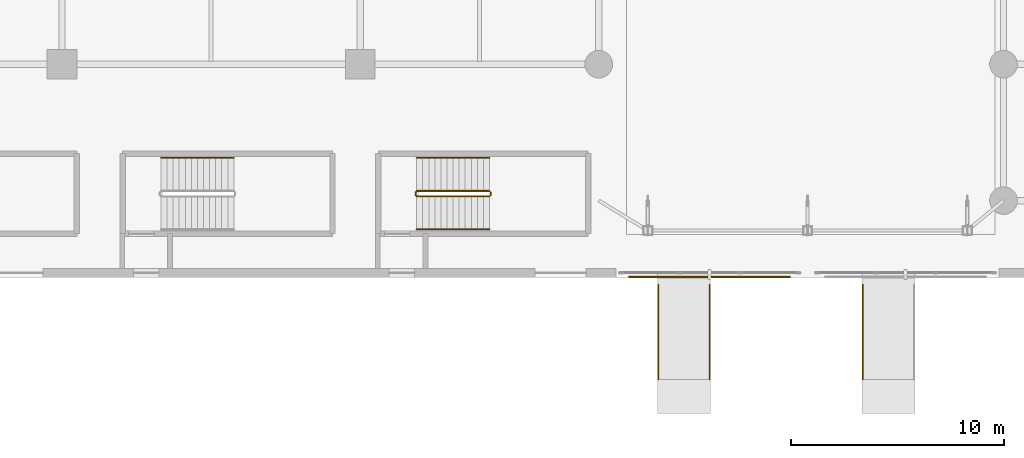
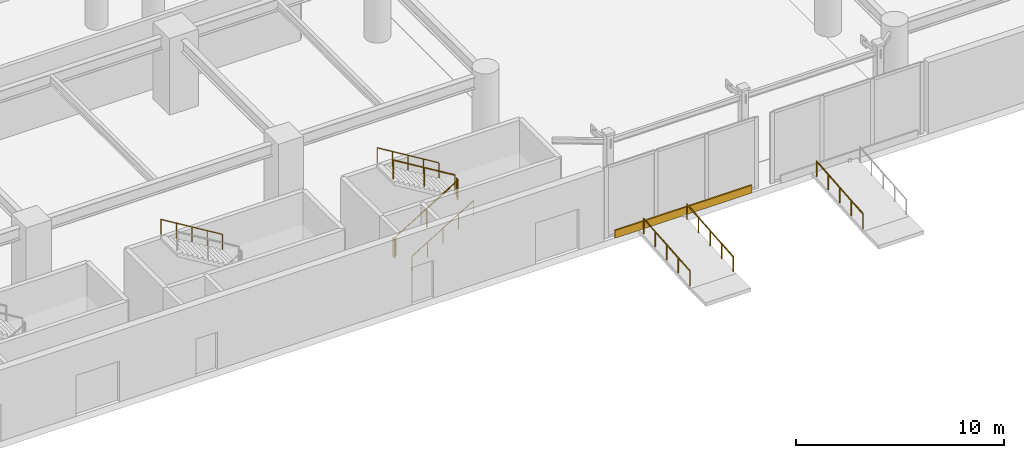
# One storey, part 35 of 42: 10 railings, 1 shading device.
"""IFC4 building model written with IfcOpenShell, lengths in metres."""

from ifc_helpers import new_model, si_unit, direction, frame, origin, origin_2d, place, context, subcontext, project, spatial, rectangle, circle, extrude, material, layer, layer_set, type_object, element, save


model = new_model("IFC4")

# Units and contexts
model_context = context("Model", 3, precision=1e-05, world=origin(), true_north=direction((0.0, 1.0)))
body_context = subcontext(model_context, "Body", "Model", "MODEL_VIEW")
ifc_project = project(units=[si_unit("LENGTHUNIT", "METRE"), si_unit("AREAUNIT", "SQUARE_METRE"), si_unit("VOLUMEUNIT", "CUBIC_METRE"), si_unit("PLANEANGLEUNIT", "RADIAN"), si_unit("MASSUNIT", "GRAM", prefix="KILO")], contexts=[model_context])

# Site, building, storey
site_placement = place(None, origin())
site = spatial("IfcSite", under=ifc_project, at=site_placement, CompositionType="ELEMENT")
building_placement = place(site_placement, origin())
building = spatial("IfcBuilding", under=site, at=building_placement, Name="Narakoshi Arena Tower", CompositionType="ELEMENT")
storey_placement = place(building_placement, origin())
storey = spatial("IfcBuildingStorey", under=building, at=storey_placement, Name="L00", CompositionType="ELEMENT", Elevation=0.0)

# Railings
ifc_material_1 = material(Name="Clear low-iron laminated structural glass", Category="glass")
railing_type_1 = type_object("IfcRailingType", Name="RL-BAL-1100", PredefinedType="BALUSTRADE", material=ifc_material_1)
railing_1_placement = place(storey_placement, frame((42.64990234375, 3.800048828125, 0.173095703125)))
element("IfcRailing", 1, at=railing_1_placement, inside=storey, type_object=railing_type_1, Name="L00 AST4 stair guard 1", PredefinedType="BALUSTRADE", context=body_context, shape_type="SweptSolid", body=[
    extrude(circle(Radius=0.02392578125, at=origin_2d()), frame((0.0, 0.0, 1.09619140625), z_axis=(0.854745945586, 0.0, 0.519046595696), x_axis=(0.0, 1.0, 0.0)), (0.0, 0.0, 1.0), 4.00146484375),
    extrude(circle(Radius=0.02099609375, at=origin_2d()), origin(), (0.0, 0.0, 1.0), 1.072021484375),
    extrude(circle(Radius=0.02099609375, at=origin_2d()), frame((1.7099609375, 0.0, 1.03857421875)), (0.0, 0.0, 1.0), 1.072021484375),
    extrude(circle(Radius=0.02099609375, at=origin_2d()), frame((3.420166015625, 0.0, 2.076904296875)), (0.0, 0.0, 1.0), 1.072021484375),
])
railing_2_placement = place(storey_placement, frame((46.1201171875, 3.85009765625, 2.25)))
element("IfcRailing", 2, at=railing_2_placement, inside=storey, type_object=railing_type_1, Name="L00 AST4 stair guard 2", PredefinedType="BALUSTRADE", context=body_context, shape_type="SweptSolid", body=[
    extrude(circle(Radius=0.02392578125, at=origin_2d()), frame((0.0, 0.0, 1.09619140625), z_axis=(0.0, 1.0, 0.0), x_axis=(-1.0, 0.0, 0.0)), (0.0, 0.0, 1.0), 0.14990234375),
    extrude(circle(Radius=0.02099609375, at=origin_2d()), origin(), (0.0, 0.0, 1.0), 1.072021484375),
    extrude(circle(Radius=0.02099609375, at=origin_2d()), frame((0.0, 0.14990234375, 0.0)), (0.0, 0.0, 1.0), 1.072021484375),
])
railing_3_placement = place(storey_placement, frame((46.070068359375, 4.050048828125, 2.423095703125)))
element("IfcRailing", 3, at=railing_3_placement, inside=storey, type_object=railing_type_1, Name="L00 AST4 stair guard 3", PredefinedType="BALUSTRADE", context=body_context, shape_type="SweptSolid", body=[
    extrude(circle(Radius=0.02392578125, at=origin_2d()), frame((0.0, 0.0, 1.09619140625), z_axis=(-0.854745945586, 0.0, 0.519046595696), x_axis=(0.0, -1.0, 0.0)), (0.0, 0.0, 1.0), 4.00146484375),
    extrude(circle(Radius=0.02099609375, at=origin_2d()), origin(), (0.0, 0.0, 1.0), 1.072021484375),
    extrude(circle(Radius=0.02099609375, at=origin_2d()), frame((-1.7099609375, 0.0, 1.03857421875)), (0.0, 0.0, 1.0), 1.072021484375),
    extrude(circle(Radius=0.02099609375, at=origin_2d()), frame((-3.420166015625, 0.0, 2.076904296875)), (0.0, 0.0, 1.0), 1.072021484375),
])
railing_4_placement = place(storey_placement, frame((42.60009765625, 3.85009765625, 0.0)))
element("IfcRailing", 4, at=railing_4_placement, inside=storey, type_object=railing_type_1, Name="L00 AST4 stair guard 4", PredefinedType="BALUSTRADE", context=body_context, shape_type="SweptSolid", body=[
    extrude(circle(Radius=0.02392578125, at=origin_2d()), frame((0.0, 0.0, 1.09619140625), z_axis=(0.0, 1.0, 0.0), x_axis=(-1.0, 0.0, 0.0)), (0.0, 0.0, 1.0), 0.14990234375),
    extrude(circle(Radius=0.02099609375, at=origin_2d()), origin(), (0.0, 0.0, 1.0), 1.072021484375),
    extrude(circle(Radius=0.02099609375, at=origin_2d()), frame((0.0, 0.14990234375, 0.0)), (0.0, 0.0, 1.0), 1.072021484375),
])
ifc_material_2 = material(Name="Brushed bronze stainless steel", Category="steel")
railing_type_2 = type_object("IfcRailingType", Name="RL-HND-900", PredefinedType="HANDRAIL", material=ifc_material_2)
railing_5_placement = place(storey_placement, frame((34.070068359375, 5.60009765625, 2.423095703125)))
element("IfcRailing", 5, at=railing_5_placement, inside=storey, type_object=railing_type_2, Name="L00 AST3 stair handrail 2", PredefinedType="HANDRAIL", context=body_context, shape_type="SweptSolid", body=[
    extrude(circle(Radius=0.02392578125, at=origin_2d()), frame((0.0, 0.0, 0.8759765625), z_axis=(-0.854745945586, 0.0, 0.519046595696), x_axis=(0.0, -1.0, 0.0)), (0.0, 0.0, 1.0), 4.00146484375),
    extrude(circle(Radius=0.02099609375, at=origin_2d()), origin(), (0.0, 0.0, 1.0), 0.851806640625),
    extrude(circle(Radius=0.02099609375, at=origin_2d()), frame((-0.85498046875, 0.0, 0.519287109375)), (0.0, 0.0, 1.0), 0.851806640625),
    extrude(circle(Radius=0.02099609375, at=origin_2d()), frame((-1.7099609375, 0.0, 1.03857421875)), (0.0, 0.0, 1.0), 0.851806640625),
    extrude(circle(Radius=0.02099609375, at=origin_2d()), frame((-2.565185546875, 0.0, 1.5576171875)), (0.0, 0.0, 1.0), 0.851806640625),
    extrude(circle(Radius=0.02099609375, at=origin_2d()), frame((-3.420166015625, 0.0, 2.076904296875)), (0.0, 0.0, 1.0), 0.851806640625),
])
railing_6_placement = place(storey_placement, frame((42.64990234375, 2.25, 0.173095703125)))
element("IfcRailing", 6, at=railing_6_placement, inside=storey, type_object=railing_type_2, Name="L00 AST4 stair handrail 1", PredefinedType="HANDRAIL", context=body_context, shape_type="SweptSolid", body=[
    extrude(circle(Radius=0.02392578125, at=origin_2d()), frame((0.0, 0.0, 0.8759765625), z_axis=(0.854745945586, 0.0, 0.519046595696), x_axis=(0.0, 1.0, 0.0)), (0.0, 0.0, 1.0), 4.00146484375),
    extrude(circle(Radius=0.02099609375, at=origin_2d()), origin(), (0.0, 0.0, 1.0), 0.851806640625),
    extrude(circle(Radius=0.02099609375, at=origin_2d()), frame((0.85498046875, 0.0, 0.519287109375)), (0.0, 0.0, 1.0), 0.851806640625),
    extrude(circle(Radius=0.02099609375, at=origin_2d()), frame((1.7099609375, 0.0, 1.03857421875)), (0.0, 0.0, 1.0), 0.851806640625),
    extrude(circle(Radius=0.02099609375, at=origin_2d()), frame((2.565185546875, 0.0, 1.5576171875)), (0.0, 0.0, 1.0), 0.851806640625),
    extrude(circle(Radius=0.02099609375, at=origin_2d()), frame((3.420166015625, 0.0, 2.076904296875)), (0.0, 0.0, 1.0), 0.851806640625),
])
railing_7_placement = place(storey_placement, frame((46.070068359375, 5.60009765625, 2.423095703125)))
element("IfcRailing", 7, at=railing_7_placement, inside=storey, type_object=railing_type_2, Name="L00 AST4 stair handrail 2", PredefinedType="HANDRAIL", context=body_context, shape_type="SweptSolid", body=[
    extrude(circle(Radius=0.02392578125, at=origin_2d()), frame((0.0, 0.0, 0.8759765625), z_axis=(-0.854745945586, 0.0, 0.519046595696), x_axis=(0.0, -1.0, 0.0)), (0.0, 0.0, 1.0), 4.00146484375),
    extrude(circle(Radius=0.02099609375, at=origin_2d()), origin(), (0.0, 0.0, 1.0), 0.851806640625),
    extrude(circle(Radius=0.02099609375, at=origin_2d()), frame((-0.85498046875, 0.0, 0.519287109375)), (0.0, 0.0, 1.0), 0.851806640625),
    extrude(circle(Radius=0.02099609375, at=origin_2d()), frame((-1.7099609375, 0.0, 1.03857421875)), (0.0, 0.0, 1.0), 0.851806640625),
    extrude(circle(Radius=0.02099609375, at=origin_2d()), frame((-2.565185546875, 0.0, 1.5576171875)), (0.0, 0.0, 1.0), 0.851806640625),
    extrude(circle(Radius=0.02099609375, at=origin_2d()), frame((-3.420166015625, 0.0, 2.076904296875)), (0.0, 0.0, 1.0), 0.851806640625),
])
for number, where, name in (
    (8, (54.0, -4.800048828125, -0.39990234375), "L00 Accessible Ramp Handrail RMP-S1-L"),
    (9, (56.39990234375, -4.800048828125, -0.39990234375), "L00 Accessible Ramp Handrail RMP-S1-R"),
    (10, (63.60009765625, -4.800048828125, -0.39990234375), "L00 Accessible Ramp Handrail RMP-S2-L"),
):
    element("IfcRailing", number, at=place(storey_placement, frame(where)), inside=storey, type_object=railing_type_2, Name=name, PredefinedType="HANDRAIL", context=body_context, shape_type="SweptSolid", body=[
        extrude(circle(Radius=0.02392578125, at=origin_2d()), frame((0.0, 0.0, 0.8759765625), z_axis=(0.0, 0.996375960288, 0.085058484348), x_axis=(-1.0, 0.0, 0.0)), (0.0, 0.0, 1.0), 4.466064453125),
        extrude(circle(Radius=0.02099609375, at=origin_2d()), origin(), (0.0, 0.0, 1.0), 0.851806640625),
        extrude(circle(Radius=0.02099609375, at=origin_2d()), frame((0.0, 1.112548828125, 0.094970703125)), (0.0, 0.0, 1.0), 0.851806640625),
        extrude(circle(Radius=0.02099609375, at=origin_2d()), frame((0.0, 2.22509765625, 0.18994140625)), (0.0, 0.0, 1.0), 0.851806640625),
        extrude(circle(Radius=0.02099609375, at=origin_2d()), frame((0.0, 3.33740234375, 0.284912109375)), (0.0, 0.0, 1.0), 0.851806640625),
        extrude(circle(Radius=0.02099609375, at=origin_2d()), frame((0.0, 4.449951171875, 0.3798828125)), (0.0, 0.0, 1.0), 0.851806640625),
    ])

# Shading device
ifc_material_3 = material(Name="Anodised bronze aluminium 6063-T6", Category="aluminium")
ifc_layer = layer(ifc_material_3, 0.080078125)
ifc_layer_set = layer_set([ifc_layer], Name="Anodised bronze aluminium 6063-T6")
shading_device_type = type_object("IfcShadingDeviceType", Name="SHD-SUN-CONC", PredefinedType="SHUTTER", material=ifc_layer_set)
shading_device_placement = place(storey_placement, frame((56.39990234375, 0.010009765625, 0.0), z_axis=(0.0, 0.0, 1.0), x_axis=(1.0, 0.0, 0.0)))
element("IfcShadingDevice", 11, at=shading_device_placement, inside=storey, type_object=shading_device_type, Name="L00 Concourse Horizontal Sunshade CS1", PredefinedType="SHUTTER", context=body_context, shape_type="SweptSolid", body=[
    extrude(rectangle(XDim=7.60009765625, YDim=0.080078125, at=origin_2d()), origin(), (0.0, 0.0, 1.0), 0.449951171875),
])

save(model, "model.ifc")
